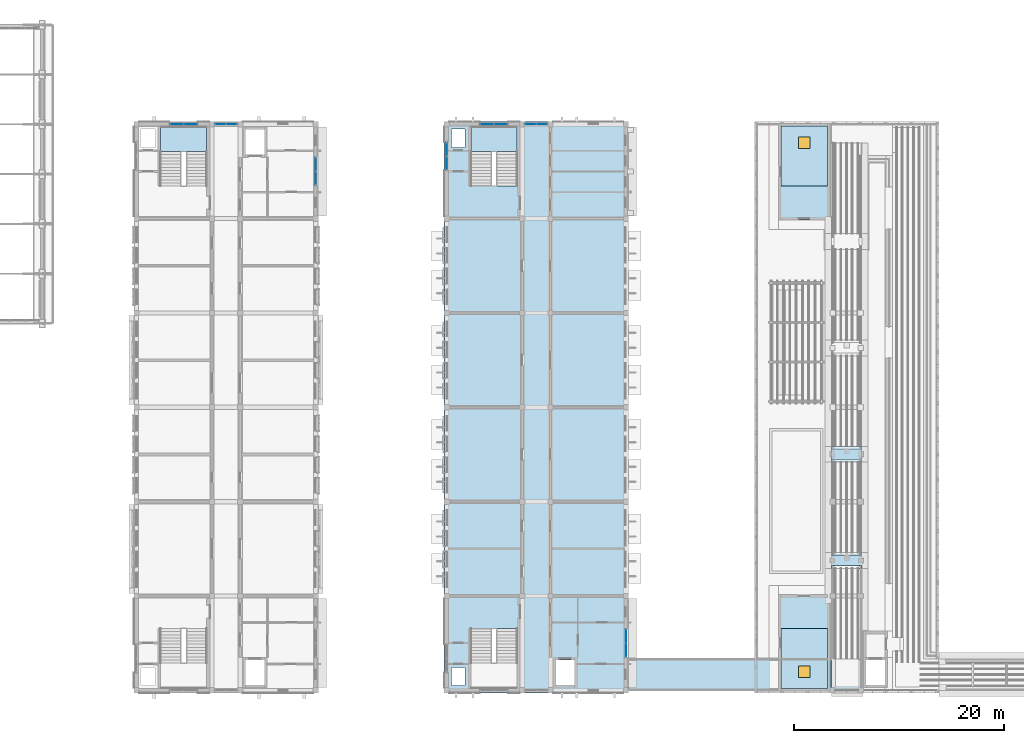
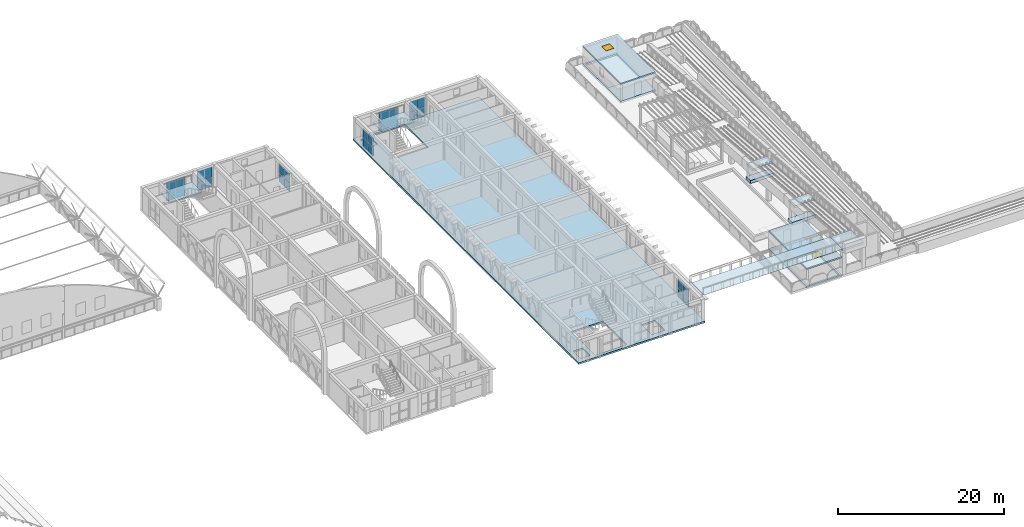
# One storey, part 32 of 65: 28 plates, 13 slabs, 2 windows, 2 openings, 10 elements without a shape of their own.
"""IFC4 building model written with IfcOpenShell, lengths in metres."""

import ifcopenshell
import ifcopenshell.guid

model = None  # the IFC model being written
_history = None  # IfcOwnerHistory: only IFC2X3 demands one
_inside = {}  # id of a spatial element -> (the spatial element, [elements in it])
_under = {}  # id of a project, library or spatial element -> (it, [spatial elements below it])
_declared = {}  # id of a project -> (the project, [libraries it declares])
_typed = {}  # id of a type object -> (the type object, [elements of that type])
_made_of = {}  # id of a material, layer set ... -> (it, [elements and type objects made of it])


def new_model(schema):
    """Start an empty IFC model of exactly this schema.

    Asked for "IFC4X3", IfcOpenShell would pick the latest addendum, in which some entities
    have other attributes; the version numbers below select the first issue.
    IFC2X3 requires an IfcOwnerHistory on every rooted entity: one is made here for all.
    """
    global model, _history
    if schema == "IFC4X3":
        model = ifcopenshell.file(schema_version=(4, 3, 0, 0))
    else:
        model = ifcopenshell.file(schema=schema)
    _inside.clear()
    _under.clear()
    _declared.clear()
    _typed.clear()
    _made_of.clear()
    _history = None
    if model.schema == "IFC2X3":
        org = make("IfcOrganization", Name="unknown")
        user = make(
            "IfcPersonAndOrganization",
            ThePerson=make("IfcPerson", FamilyName="unknown"),
            TheOrganization=org,
        )
        app = make(
            "IfcApplication",
            ApplicationDeveloper=org,
            Version="unknown",
            ApplicationFullName="unknown",
            ApplicationIdentifier="unknown",
        )
        _history = make(
            "IfcOwnerHistory",
            OwningUser=user,
            OwningApplication=app,
            ChangeAction="ADDED",
            CreationDate=0,
        )
    return model


def make(cls, **values):
    """One entity of the class cls with the attributes given. An attribute that is None is left unset."""
    return model.create_entity(
        cls, **{name: value for name, value in values.items() if value is not None}
    )


def rooted(cls, **values):
    """An entity with a GlobalId (a new one), such as an element, a storey or a relation."""
    return make(cls, GlobalId=ifcopenshell.guid.new(), OwnerHistory=_history, **values)


def si_unit(unit_type, name, prefix=None):
    """IfcSIUnit, for example si_unit("LENGTHUNIT", "METRE", prefix="MILLI")."""
    return make("IfcSIUnit", UnitType=unit_type, Prefix=prefix, Name=name)


def assignment(units):
    """IfcUnitAssignment: the units of a project."""
    return None if units is None else make("IfcUnitAssignment", Units=units)


def point(xyz):
    """IfcCartesianPoint."""
    return None if xyz is None else make("IfcCartesianPoint", Coordinates=xyz)


def direction(xyz):
    """IfcDirection."""
    return None if xyz is None else make("IfcDirection", DirectionRatios=xyz)


def frame(location, z_axis=None, x_axis=None):
    """IfcAxis2Placement3D, a coordinate frame: its origin and axes. An axis left out is left unset."""
    return make(
        "IfcAxis2Placement3D",
        Location=point(location),
        Axis=direction(z_axis),
        RefDirection=direction(x_axis),
    )


def frame_2d(location, x_axis=None):
    """IfcAxis2Placement2D, a coordinate frame in the plane: its origin and x axis."""
    return make(
        "IfcAxis2Placement2D", Location=point(location), RefDirection=direction(x_axis)
    )


def origin():
    """The frame at (0, 0, 0) with its axes left unset."""
    return frame((0.0, 0.0, 0.0))


def origin_2d():
    """The frame at (0, 0) in the plane with its x axis left unset."""
    return frame_2d((0.0, 0.0))


def place(relative_to, where):
    """IfcLocalPlacement: puts the frame where relative to a parent placement (None: the world)."""
    return make(
        "IfcLocalPlacement", PlacementRelTo=relative_to, RelativePlacement=where
    )


def context(
    kind, dimensions, precision=None, world=None, true_north=None, identifier=None
):
    """IfcGeometricRepresentationContext, for example the 3D "Model" context."""
    return make(
        "IfcGeometricRepresentationContext",
        ContextIdentifier=identifier,
        ContextType=kind,
        CoordinateSpaceDimension=dimensions,
        Precision=precision,
        WorldCoordinateSystem=world,
        TrueNorth=true_north,
    )


def subcontext(parent, identifier, kind, view, scale=None):
    """IfcGeometricRepresentationSubContext, for example "Body" below "Model"."""
    return make(
        "IfcGeometricRepresentationSubContext",
        ContextIdentifier=identifier,
        ContextType=kind,
        ParentContext=parent,
        TargetScale=scale,
        TargetView=view,
    )


def project(units=None, contexts=None):
    """IfcProject with its units and contexts."""
    return rooted(
        "IfcProject",
        Name="project",
        RepresentationContexts=contexts,
        UnitsInContext=assignment(units),
    )


def spatial(cls, under=None, at=None, **own):
    """A site, building, storey or space (cls), placed at a placement, below another one or the project."""
    s = rooted(cls, ObjectPlacement=at, **own)
    if under is not None:
        _under.setdefault(under.id(), (under, []))[1].append(s)
    return s


def polyline(points):
    """IfcPolyline through the points."""
    return make("IfcPolyline", Points=[point(p) for p in points])


def profile(cls, at=None, kind="AREA", **sizes):
    """A parametric profile (cls). Its sizes go by their IFC names, for example OverallWidth=200.0."""
    return make(cls, ProfileType=kind, Position=at, **sizes)


def rectangle(**sizes):
    """IfcRectangleProfileDef."""
    return profile("IfcRectangleProfileDef", **sizes)


def outline(outer, holes=None, kind="AREA"):
    """IfcArbitraryClosedProfileDef: a profile drawn as a closed curve; with holes, ...WithVoids."""
    if holes is None:
        return make("IfcArbitraryClosedProfileDef", ProfileType=kind, OuterCurve=outer)
    return make(
        "IfcArbitraryProfileDefWithVoids",
        ProfileType=kind,
        OuterCurve=outer,
        InnerCurves=holes,
    )


def extrude(swept, where, along, depth):
    """IfcExtrudedAreaSolid: the profile swept, set in the frame where, extruded along a direction by depth."""
    return make(
        "IfcExtrudedAreaSolid",
        SweptArea=swept,
        Position=where,
        ExtrudedDirection=direction(along),
        Depth=depth,
    )


def shape(context_of_items, identifier, shape_type, items):
    """IfcShapeRepresentation: the items that make up one representation, for example the "Body"."""
    return make(
        "IfcShapeRepresentation",
        ContextOfItems=context_of_items,
        RepresentationIdentifier=identifier,
        RepresentationType=shape_type,
        Items=items,
    )


def material(Name=None, Category=None):
    """IfcMaterial."""
    return make("IfcMaterial", Name=Name, Category=Category)


def layer(
    of_material, thickness, ventilated=None, Name=None, Category=None, Priority=None
):
    """IfcMaterialLayer: one layer of a wall or slab, of a material (None: an air gap)."""
    return make(
        "IfcMaterialLayer",
        Material=of_material,
        LayerThickness=thickness,
        IsVentilated=ventilated,
        Name=Name,
        Category=Category,
        Priority=Priority,
    )


def layer_set(layers, Name=None):
    """IfcMaterialLayerSet."""
    return make("IfcMaterialLayerSet", MaterialLayers=layers, LayerSetName=Name)


def made_of(thing, what):
    """Note that an element or type object is made of a material, layer set ...; save() writes the relation."""
    if what is not None:
        _made_of.setdefault(what.id(), (what, []))[1].append(thing)
    return thing


def type_object(cls, material=None, **own):
    """A type object (cls), such as IfcWallType, which elements share."""
    return made_of(rooted(cls, **own), material)


def element(
    cls,
    number,
    at=None,
    inside=None,
    cuts=None,
    type_object=None,
    material=None,
    context=None,
    identifier="Body",
    shape_type=None,
    held_by="IfcProductDefinitionShape",
    body=None,
    shapes=None,
    **own,
):
    """One element of the class cls, such as IfcWall. Its Tag is "e" and its number.

    at: its placement. inside: the storey or other place that contains it. cuts: it is an
    opening in that element (IfcRelVoidsElement). A single representation is given by context,
    identifier, shape_type and body (its items); several are given by shapes. held_by: the class
    of the entity that holds the representations. save() writes the other relations.
    """
    e = rooted(cls, Tag="e%d" % number, ObjectPlacement=at, **own)
    if body is not None:
        shapes = [shape(context, identifier, shape_type, body)]
    if shapes is not None:
        e.Representation = make(held_by, Representations=shapes)
    if inside is not None:
        _inside.setdefault(inside.id(), (inside, []))[1].append(e)
    if cuts is not None:
        rooted(
            "IfcRelVoidsElement", RelatingBuildingElement=cuts, RelatedOpeningElement=e
        )
    if type_object is not None:
        _typed.setdefault(type_object.id(), (type_object, []))[1].append(e)
    return made_of(e, material)


def fill(opening, filler):
    """IfcRelFillsElement: the door or window that sits in an opening."""
    return rooted(
        "IfcRelFillsElement",
        RelatingOpeningElement=opening,
        RelatedBuildingElement=filler,
    )


def aggregate(whole, parts):
    """IfcRelAggregates: a whole, such as a stair, and the parts it consists of."""
    return rooted("IfcRelAggregates", RelatingObject=whole, RelatedObjects=parts)


def save(model, path):
    """Write the relations noted so far, then the file.

    IfcRelAggregates (storeys below a building ...), IfcRelContainedInSpatialStructure (elements
    in a storey), IfcRelDefinesByType, IfcRelAssociatesMaterial and IfcRelDeclares: one each for
    every whole, place, type object, material and project.
    """
    for whole, parts in _under.values():
        aggregate(whole, parts)
    for where, things in _inside.values():
        rooted(
            "IfcRelContainedInSpatialStructure",
            RelatedElements=things,
            RelatingStructure=where,
        )
    for kind, things in _typed.values():
        rooted("IfcRelDefinesByType", RelatedObjects=things, RelatingType=kind)
    for what, things in _made_of.values():
        rooted("IfcRelAssociatesMaterial", RelatedObjects=things, RelatingMaterial=what)
    for by, libraries in _declared.values():
        rooted("IfcRelDeclares", RelatingContext=by, RelatedDefinitions=libraries)
    model.write(path)


model = new_model("IFC4")

# Units and contexts
model_context = context("Model", 3, precision=1e-05, world=origin(), true_north=direction((0.0, 1.0)))
body_context = subcontext(model_context, "Body", "Model", "MODEL_VIEW")
ifc_project = project(units=[si_unit("LENGTHUNIT", "METRE"), si_unit("AREAUNIT", "SQUARE_METRE"), si_unit("VOLUMEUNIT", "CUBIC_METRE"), si_unit("PLANEANGLEUNIT", "RADIAN"), si_unit("MASSUNIT", "GRAM", prefix="KILO")], contexts=[model_context])

# Site, building, storey
site_placement = place(None, origin())
site = spatial("IfcSite", under=ifc_project, at=site_placement, CompositionType="ELEMENT")
building_placement = place(site_placement, origin())
building = spatial("IfcBuilding", under=site, at=building_placement, Name="Elbe Cascade School", CompositionType="ELEMENT")
storey_placement = place(building_placement, frame((0.0, 0.0, 11.699951171875)))
storey = spatial("IfcBuildingStorey", under=building, at=storey_placement, Name="L03", CompositionType="ELEMENT", Elevation=11.699951171875)

# Stair, slab
ifc_material_1 = material(Name="Concrete C30/37", Category="concrete")
stair_type = type_object("IfcStairType", Name="Bar stair RC 150", PredefinedType="HALF_TURN_STAIR", material=ifc_material_1)
stair_1_placement = place(storey_placement, origin())
stair_1 = element("IfcStair", 1, at=stair_1_placement, inside=storey, type_object=stair_type, Name="Stair A3.N", PredefinedType="HALF_TURN_STAIR")
ifc_material_2 = material(Name="Concrete C30/37", Category="concrete")
ifc_layer_1 = layer(ifc_material_2, 0.199951171875)
ifc_layer_set_1 = layer_set([ifc_layer_1], Name="Concrete C30/37")
slab_type_1 = type_object("IfcSlabType", Name="Bar stair landing RC 200", PredefinedType="LANDING", material=ifc_layer_set_1)
slab_1_placement = place(storey_placement, frame((0.0, 0.0, 1.60009765625)))
slab_1 = element("IfcSlab", 2, at=slab_1_placement, type_object=slab_type_1, Name="ST3 landing 1", PredefinedType="LANDING", context=body_context, shape_type="SweptSolid", body=[
    extrude(outline(polyline([(71.300048828125, 57.39990234375), (75.699951171875, 57.39990234375), (75.699951171875, 59.820068359375), (71.300048828125, 59.820068359375), (71.300048828125, 57.39990234375)])), origin(), (0.0, 0.0, 1.0), 0.199951171875),
])
aggregate(stair_1, [slab_1])

stair_2_placement = place(storey_placement, origin())
stair_2 = element("IfcStair", 3, at=stair_2_placement, inside=storey, type_object=stair_type, Name="Stair B3.N", PredefinedType="HALF_TURN_STAIR")
slab_2_placement = place(storey_placement, frame((0.0, 0.0, 1.60009765625)))
slab_2 = element("IfcSlab", 4, at=slab_2_placement, type_object=slab_type_1, Name="ST3 landing 1", PredefinedType="LANDING", context=body_context, shape_type="SweptSolid", body=[
    extrude(outline(polyline([(100.89990234375, 57.39990234375), (105.300048828125, 57.39990234375), (105.300048828125, 59.820068359375), (100.89990234375, 59.820068359375), (100.89990234375, 57.39990234375)])), origin(), (0.0, 0.0, 1.0), 0.199951171875),
])
aggregate(stair_2, [slab_2])

# Curtain wall, plates
ifc_material_3 = material(Name="Aluminium frame with double glazing, bronze anodised", Category="aluminium")
ifc_layer_2 = layer(ifc_material_3, 0.159912109375)
ifc_layer_set_2 = layer_set([ifc_layer_2], Name="Aluminium frame with double glazing, bronze anodised")
curtain_wall_type = type_object("IfcCurtainWallType", Name="Bars envelope Curtain wall, aluminium, bronze anodised, storey-high slot", PredefinedType="NOTDEFINED", material=ifc_layer_set_2)
curtain_wall_1_placement = place(storey_placement, origin())
curtain_wall_1 = element("IfcCurtainWall", 5, at=curtain_wall_1_placement, inside=storey, type_object=curtain_wall_type, Name="Curtain wall CW4 A.L03.e6", PredefinedType="NOTDEFINED")
ifc_material_4 = material(Name="Glass - double glazed low-E", Category="glass")
ifc_layer_3 = layer(ifc_material_4, 0.028076171875)
ifc_layer_set_3 = layer_set([ifc_layer_3], Name="Glass - double glazed low-E")
plate_type = type_object("IfcPlateType", Name="Bars envelope Curtain wall glazing panel 28 mm, double glazed, storey-high slot", PredefinedType="CURTAIN_PANEL", material=ifc_layer_set_3)
plate_1_placement = place(storey_placement, frame((86.10009765625, 56.159912109375, 0.06005859375), z_axis=(0.0, 0.0, 1.0), x_axis=(0.0, -1.0, 0.0)))
plate_1 = element("IfcPlate", 6, at=plate_1_placement, type_object=plate_type, Name="CW4 panel 1.1", PredefinedType="CURTAIN_PANEL", context=body_context, shape_type="SweptSolid", body=[
    extrude(rectangle(XDim=1.260009765625, YDim=0.028076171875, at=origin_2d()), origin(), (0.0, 0.0, 1.0), 1.260009765625),
])
plate_2_placement = place(storey_placement, frame((86.10009765625, 56.159912109375, 1.3798828125), z_axis=(0.0, 0.0, 1.0), x_axis=(0.0, -1.0, 0.0)))
plate_2 = element("IfcPlate", 7, at=plate_2_placement, type_object=plate_type, Name="CW4 panel 1.2", PredefinedType="CURTAIN_PANEL", context=body_context, shape_type="SweptSolid", body=[
    extrude(rectangle(XDim=1.260009765625, YDim=0.028076171875, at=origin_2d()), origin(), (0.0, 0.0, 1.0), 1.409912109375),
])
plate_3_placement = place(storey_placement, frame((86.10009765625, 54.840087890625, 0.06005859375), z_axis=(0.0, 0.0, 1.0), x_axis=(0.0, -1.0, 0.0)))
plate_3 = element("IfcPlate", 8, at=plate_3_placement, type_object=plate_type, Name="CW4 panel 2.1", PredefinedType="CURTAIN_PANEL", context=body_context, shape_type="SweptSolid", body=[
    extrude(rectangle(XDim=1.260009765625, YDim=0.028076171875, at=origin_2d()), origin(), (0.0, 0.0, 1.0), 1.260009765625),
])
plate_4_placement = place(storey_placement, frame((86.10009765625, 54.840087890625, 1.3798828125), z_axis=(0.0, 0.0, 1.0), x_axis=(0.0, -1.0, 0.0)))
plate_4 = element("IfcPlate", 9, at=plate_4_placement, type_object=plate_type, Name="CW4 panel 2.2", PredefinedType="CURTAIN_PANEL", context=body_context, shape_type="SweptSolid", body=[
    extrude(rectangle(XDim=1.260009765625, YDim=0.028076171875, at=origin_2d()), origin(), (0.0, 0.0, 1.0), 1.409912109375),
])
aggregate(curtain_wall_1, [plate_1, plate_2, plate_3, plate_4])

curtain_wall_2_placement = place(storey_placement, origin())
curtain_wall_2 = element("IfcCurtainWall", 10, at=curtain_wall_2_placement, inside=storey, type_object=curtain_wall_type, Name="Curtain wall CW4 A.L03.n1", PredefinedType="NOTDEFINED")
plate_5_placement = place(storey_placement, frame((72.840087890625, 60.0, 0.06005859375), z_axis=(0.0, 0.0, 1.0), x_axis=(1.0, 0.0, 0.0)))
plate_5 = element("IfcPlate", 11, at=plate_5_placement, type_object=plate_type, Name="CW4 panel 1.1", PredefinedType="CURTAIN_PANEL", context=body_context, shape_type="SweptSolid", body=[
    extrude(rectangle(XDim=1.260009765625, YDim=0.028076171875, at=origin_2d()), origin(), (0.0, 0.0, 1.0), 1.260009765625),
])
plate_6_placement = place(storey_placement, frame((72.840087890625, 60.0, 1.380126953125), z_axis=(0.0, 0.0, 1.0), x_axis=(1.0, 0.0, 0.0)))
plate_6 = element("IfcPlate", 12, at=plate_6_placement, type_object=plate_type, Name="CW4 panel 1.2", PredefinedType="CURTAIN_PANEL", context=body_context, shape_type="SweptSolid", body=[
    extrude(rectangle(XDim=1.260009765625, YDim=0.028076171875, at=origin_2d()), origin(), (0.0, 0.0, 1.0), 1.4599609375),
])
plate_7_placement = place(storey_placement, frame((74.159912109375, 60.0, 0.06005859375), z_axis=(0.0, 0.0, 1.0), x_axis=(1.0, 0.0, 0.0)))
plate_7 = element("IfcPlate", 13, at=plate_7_placement, type_object=plate_type, Name="CW4 panel 2.1", PredefinedType="CURTAIN_PANEL", context=body_context, shape_type="SweptSolid", body=[
    extrude(rectangle(XDim=1.260009765625, YDim=0.028076171875, at=origin_2d()), origin(), (0.0, 0.0, 1.0), 1.260009765625),
])
plate_8_placement = place(storey_placement, frame((74.159912109375, 60.0, 1.380126953125), z_axis=(0.0, 0.0, 1.0), x_axis=(1.0, 0.0, 0.0)))
plate_8 = element("IfcPlate", 14, at=plate_8_placement, type_object=plate_type, Name="CW4 panel 2.2", PredefinedType="CURTAIN_PANEL", context=body_context, shape_type="SweptSolid", body=[
    extrude(rectangle(XDim=1.260009765625, YDim=0.028076171875, at=origin_2d()), origin(), (0.0, 0.0, 1.0), 1.4599609375),
])
aggregate(curtain_wall_2, [plate_5, plate_6, plate_7, plate_8])

curtain_wall_3_placement = place(storey_placement, origin())
curtain_wall_3 = element("IfcCurtainWall", 15, at=curtain_wall_3_placement, inside=storey, type_object=curtain_wall_type, Name="Curtain wall CW4 A.L03.n2", PredefinedType="NOTDEFINED")
plate_9_placement = place(storey_placement, frame((77.014892578125, 60.0, 0.06005859375), z_axis=(0.0, 0.0, 1.0), x_axis=(1.0, 0.0, 0.0)))
plate_9 = element("IfcPlate", 16, at=plate_9_placement, type_object=plate_type, Name="CW4 panel 1.1", PredefinedType="CURTAIN_PANEL", context=body_context, shape_type="SweptSolid", body=[
    extrude(rectangle(XDim=1.010009765625, YDim=0.028076171875, at=origin_2d()), origin(), (0.0, 0.0, 1.0), 1.260009765625),
])
plate_10_placement = place(storey_placement, frame((77.014892578125, 60.0, 1.380126953125), z_axis=(0.0, 0.0, 1.0), x_axis=(1.0, 0.0, 0.0)))
plate_10 = element("IfcPlate", 17, at=plate_10_placement, type_object=plate_type, Name="CW4 panel 1.2", PredefinedType="CURTAIN_PANEL", context=body_context, shape_type="SweptSolid", body=[
    extrude(rectangle(XDim=1.010009765625, YDim=0.028076171875, at=origin_2d()), origin(), (0.0, 0.0, 1.0), 1.56005859375),
])
plate_11_placement = place(storey_placement, frame((78.0849609375, 60.0, 0.06005859375), z_axis=(0.0, 0.0, 1.0), x_axis=(1.0, 0.0, 0.0)))
plate_11 = element("IfcPlate", 18, at=plate_11_placement, type_object=plate_type, Name="CW4 panel 2.1", PredefinedType="CURTAIN_PANEL", context=body_context, shape_type="SweptSolid", body=[
    extrude(rectangle(XDim=1.010009765625, YDim=0.028076171875, at=origin_2d()), origin(), (0.0, 0.0, 1.0), 1.260009765625),
])
plate_12_placement = place(storey_placement, frame((78.0849609375, 60.0, 1.380126953125), z_axis=(0.0, 0.0, 1.0), x_axis=(1.0, 0.0, 0.0)))
plate_12 = element("IfcPlate", 19, at=plate_12_placement, type_object=plate_type, Name="CW4 panel 2.2", PredefinedType="CURTAIN_PANEL", context=body_context, shape_type="SweptSolid", body=[
    extrude(rectangle(XDim=1.010009765625, YDim=0.028076171875, at=origin_2d()), origin(), (0.0, 0.0, 1.0), 1.56005859375),
])
aggregate(curtain_wall_3, [plate_9, plate_10, plate_11, plate_12])

curtain_wall_4_placement = place(storey_placement, origin())
curtain_wall_4 = element("IfcCurtainWall", 20, at=curtain_wall_4_placement, inside=storey, type_object=curtain_wall_type, Name="Curtain wall CW4 B.L03.w6", PredefinedType="NOTDEFINED")
plate_13_placement = place(storey_placement, frame((98.60009765625, 56.300048828125, 0.06005859375), z_axis=(0.0, 0.0, 1.0), x_axis=(0.0, 1.0, 0.0)))
plate_13 = element("IfcPlate", 21, at=plate_13_placement, type_object=plate_type, Name="CW4 panel 1.1", PredefinedType="CURTAIN_PANEL", context=body_context, shape_type="SweptSolid", body=[
    extrude(rectangle(XDim=1.260009765625, YDim=0.028076171875, at=origin_2d()), origin(), (0.0, 0.0, 1.0), 1.260009765625),
])
plate_14_placement = place(storey_placement, frame((98.60009765625, 56.300048828125, 1.380126953125), z_axis=(0.0, 0.0, 1.0), x_axis=(0.0, 1.0, 0.0)))
plate_14 = element("IfcPlate", 22, at=plate_14_placement, type_object=plate_type, Name="CW4 panel 1.2", PredefinedType="CURTAIN_PANEL", context=body_context, shape_type="SweptSolid", body=[
    extrude(rectangle(XDim=1.260009765625, YDim=0.028076171875, at=origin_2d()), origin(), (0.0, 0.0, 1.0), 1.31005859375),
])
plate_15_placement = place(storey_placement, frame((98.60009765625, 57.6201171875, 0.06005859375), z_axis=(0.0, 0.0, 1.0), x_axis=(0.0, 1.0, 0.0)))
plate_15 = element("IfcPlate", 23, at=plate_15_placement, type_object=plate_type, Name="CW4 panel 2.1", PredefinedType="CURTAIN_PANEL", context=body_context, shape_type="SweptSolid", body=[
    extrude(rectangle(XDim=1.260009765625, YDim=0.028076171875, at=origin_2d()), origin(), (0.0, 0.0, 1.0), 1.260009765625),
])
plate_16_placement = place(storey_placement, frame((98.60009765625, 57.6201171875, 1.380126953125), z_axis=(0.0, 0.0, 1.0), x_axis=(0.0, 1.0, 0.0)))
plate_16 = element("IfcPlate", 24, at=plate_16_placement, type_object=plate_type, Name="CW4 panel 2.2", PredefinedType="CURTAIN_PANEL", context=body_context, shape_type="SweptSolid", body=[
    extrude(rectangle(XDim=1.260009765625, YDim=0.028076171875, at=origin_2d()), origin(), (0.0, 0.0, 1.0), 1.31005859375),
])
aggregate(curtain_wall_4, [plate_13, plate_14, plate_15, plate_16])

curtain_wall_5_placement = place(storey_placement, origin())
curtain_wall_5 = element("IfcCurtainWall", 25, at=curtain_wall_5_placement, inside=storey, type_object=curtain_wall_type, Name="Curtain wall CW4 B.L03.e1", PredefinedType="NOTDEFINED")
plate_17_placement = place(storey_placement, frame((115.699951171875, 11.159912109375, 0.06005859375), z_axis=(0.0, 0.0, 1.0), x_axis=(0.0, -1.0, 0.0)))
plate_17 = element("IfcPlate", 26, at=plate_17_placement, type_object=plate_type, Name="CW4 panel 1.1", PredefinedType="CURTAIN_PANEL", context=body_context, shape_type="SweptSolid", body=[
    extrude(rectangle(XDim=1.260009765625, YDim=0.028076171875, at=origin_2d()), origin(), (0.0, 0.0, 1.0), 1.260009765625),
])
plate_18_placement = place(storey_placement, frame((115.699951171875, 11.159912109375, 1.380126953125), z_axis=(0.0, 0.0, 1.0), x_axis=(0.0, -1.0, 0.0)))
plate_18 = element("IfcPlate", 27, at=plate_18_placement, type_object=plate_type, Name="CW4 panel 1.2", PredefinedType="CURTAIN_PANEL", context=body_context, shape_type="SweptSolid", body=[
    extrude(rectangle(XDim=1.260009765625, YDim=0.028076171875, at=origin_2d()), origin(), (0.0, 0.0, 1.0), 1.31005859375),
])
plate_19_placement = place(storey_placement, frame((115.699951171875, 9.840087890625, 0.06005859375), z_axis=(0.0, 0.0, 1.0), x_axis=(0.0, -1.0, 0.0)))
plate_19 = element("IfcPlate", 28, at=plate_19_placement, type_object=plate_type, Name="CW4 panel 2.1", PredefinedType="CURTAIN_PANEL", context=body_context, shape_type="SweptSolid", body=[
    extrude(rectangle(XDim=1.260009765625, YDim=0.028076171875, at=origin_2d()), origin(), (0.0, 0.0, 1.0), 1.260009765625),
])
plate_20_placement = place(storey_placement, frame((115.699951171875, 9.840087890625, 1.380126953125), z_axis=(0.0, 0.0, 1.0), x_axis=(0.0, -1.0, 0.0)))
plate_20 = element("IfcPlate", 29, at=plate_20_placement, type_object=plate_type, Name="CW4 panel 2.2", PredefinedType="CURTAIN_PANEL", context=body_context, shape_type="SweptSolid", body=[
    extrude(rectangle(XDim=1.260009765625, YDim=0.028076171875, at=origin_2d()), origin(), (0.0, 0.0, 1.0), 1.31005859375),
])
aggregate(curtain_wall_5, [plate_17, plate_18, plate_19, plate_20])

curtain_wall_6_placement = place(storey_placement, origin())
curtain_wall_6 = element("IfcCurtainWall", 30, at=curtain_wall_6_placement, inside=storey, type_object=curtain_wall_type, Name="Curtain wall CW4 B.L03.n1", PredefinedType="NOTDEFINED")
plate_21_placement = place(storey_placement, frame((102.43994140625, 60.0, 0.06005859375), z_axis=(0.0, 0.0, 1.0), x_axis=(1.0, 0.0, 0.0)))
plate_21 = element("IfcPlate", 31, at=plate_21_placement, type_object=plate_type, Name="CW4 panel 1.1", PredefinedType="CURTAIN_PANEL", context=body_context, shape_type="SweptSolid", body=[
    extrude(rectangle(XDim=1.260009765625, YDim=0.028076171875, at=origin_2d()), origin(), (0.0, 0.0, 1.0), 1.260009765625),
])
plate_22_placement = place(storey_placement, frame((102.43994140625, 60.0, 1.3798828125), z_axis=(0.0, 0.0, 1.0), x_axis=(1.0, 0.0, 0.0)))
plate_22 = element("IfcPlate", 32, at=plate_22_placement, type_object=plate_type, Name="CW4 panel 1.2", PredefinedType="CURTAIN_PANEL", context=body_context, shape_type="SweptSolid", body=[
    extrude(rectangle(XDim=1.260009765625, YDim=0.028076171875, at=origin_2d()), origin(), (0.0, 0.0, 1.0), 1.360107421875),
])
plate_23_placement = place(storey_placement, frame((103.760009765625, 60.0, 0.06005859375), z_axis=(0.0, 0.0, 1.0), x_axis=(1.0, 0.0, 0.0)))
plate_23 = element("IfcPlate", 33, at=plate_23_placement, type_object=plate_type, Name="CW4 panel 2.1", PredefinedType="CURTAIN_PANEL", context=body_context, shape_type="SweptSolid", body=[
    extrude(rectangle(XDim=1.260009765625, YDim=0.028076171875, at=origin_2d()), origin(), (0.0, 0.0, 1.0), 1.260009765625),
])
plate_24_placement = place(storey_placement, frame((103.760009765625, 60.0, 1.3798828125), z_axis=(0.0, 0.0, 1.0), x_axis=(1.0, 0.0, 0.0)))
plate_24 = element("IfcPlate", 34, at=plate_24_placement, type_object=plate_type, Name="CW4 panel 2.2", PredefinedType="CURTAIN_PANEL", context=body_context, shape_type="SweptSolid", body=[
    extrude(rectangle(XDim=1.260009765625, YDim=0.028076171875, at=origin_2d()), origin(), (0.0, 0.0, 1.0), 1.360107421875),
])
aggregate(curtain_wall_6, [plate_21, plate_22, plate_23, plate_24])

curtain_wall_7_placement = place(storey_placement, origin())
curtain_wall_7 = element("IfcCurtainWall", 35, at=curtain_wall_7_placement, inside=storey, type_object=curtain_wall_type, Name="Curtain wall CW4 B.L03.n2", PredefinedType="NOTDEFINED")
plate_25_placement = place(storey_placement, frame((106.614990234375, 60.0, 0.06005859375), z_axis=(0.0, 0.0, 1.0), x_axis=(1.0, 0.0, 0.0)))
plate_25 = element("IfcPlate", 36, at=plate_25_placement, type_object=plate_type, Name="CW4 panel 1.1", PredefinedType="CURTAIN_PANEL", context=body_context, shape_type="SweptSolid", body=[
    extrude(rectangle(XDim=1.010009765625, YDim=0.028076171875, at=origin_2d()), origin(), (0.0, 0.0, 1.0), 1.260009765625),
])
plate_26_placement = place(storey_placement, frame((106.614990234375, 60.0, 1.380126953125), z_axis=(0.0, 0.0, 1.0), x_axis=(1.0, 0.0, 0.0)))
plate_26 = element("IfcPlate", 37, at=plate_26_placement, type_object=plate_type, Name="CW4 panel 1.2", PredefinedType="CURTAIN_PANEL", context=body_context, shape_type="SweptSolid", body=[
    extrude(rectangle(XDim=1.010009765625, YDim=0.028076171875, at=origin_2d()), origin(), (0.0, 0.0, 1.0), 1.4599609375),
])
plate_27_placement = place(storey_placement, frame((107.68505859375, 60.0, 0.06005859375), z_axis=(0.0, 0.0, 1.0), x_axis=(1.0, 0.0, 0.0)))
plate_27 = element("IfcPlate", 38, at=plate_27_placement, type_object=plate_type, Name="CW4 panel 2.1", PredefinedType="CURTAIN_PANEL", context=body_context, shape_type="SweptSolid", body=[
    extrude(rectangle(XDim=1.010009765625, YDim=0.028076171875, at=origin_2d()), origin(), (0.0, 0.0, 1.0), 1.260009765625),
])
plate_28_placement = place(storey_placement, frame((107.68505859375, 60.0, 1.380126953125), z_axis=(0.0, 0.0, 1.0), x_axis=(1.0, 0.0, 0.0)))
plate_28 = element("IfcPlate", 39, at=plate_28_placement, type_object=plate_type, Name="CW4 panel 2.2", PredefinedType="CURTAIN_PANEL", context=body_context, shape_type="SweptSolid", body=[
    extrude(rectangle(XDim=1.010009765625, YDim=0.028076171875, at=origin_2d()), origin(), (0.0, 0.0, 1.0), 1.4599609375),
])
aggregate(curtain_wall_7, [plate_25, plate_26, plate_27, plate_28])

# Slabs
ifc_material_5 = material(Name="Concrete C30/37", Category="concrete")
ifc_layer_4 = layer(ifc_material_5, 0.25)
ifc_layer_set_4 = layer_set([ifc_layer_4], Name="Concrete C30/37")
slab_type_2 = type_object("IfcSlabType", Name="Floor slab 250", PredefinedType="FLOOR", material=ifc_layer_set_4)
slab_3_placement = place(storey_placement, frame((0.0, 0.0, -0.25)))
element("IfcSlab", 40, at=slab_3_placement, inside=storey, type_object=slab_type_2, Name="Floor slab 250 S2", PredefinedType="FLOOR", context=body_context, shape_type="SweptSolid", body=[
    extrude(outline(polyline([(98.35009765625, 5.75), (115.949951171875, 5.75), (115.949951171875, 60.25), (98.35009765625, 60.25), (98.35009765625, 5.75)]), holes=[polyline([(100.89990234375, 6.179931640625), (105.300048828125, 6.179931640625), (105.300048828125, 11.8798828125), (100.89990234375, 11.8798828125), (100.89990234375, 6.179931640625)]), polyline([(109.0, 6.5), (110.800048828125, 6.5), (110.800048828125, 8.89990234375), (109.0, 8.89990234375), (109.0, 6.5)]), polyline([(100.89990234375, 54.1201171875), (105.300048828125, 54.1201171875), (105.300048828125, 59.820068359375), (100.89990234375, 59.820068359375), (100.89990234375, 54.1201171875)]), polyline([(99.050048828125, 6.449951171875), (100.35009765625, 6.449951171875), (100.35009765625, 8.199951171875), (99.050048828125, 8.199951171875), (99.050048828125, 6.449951171875)]), polyline([(99.050048828125, 57.800048828125), (100.35009765625, 57.800048828125), (100.35009765625, 59.550048828125), (99.050048828125, 59.550048828125), (99.050048828125, 57.800048828125)])]), origin(), (0.0, 0.0, 1.0), 0.25),
])
ifc_material_6 = material(Name="Concrete C30/37", Category="concrete")
ifc_layer_5 = layer(ifc_material_6, 0.300048828125)
ifc_layer_set_5 = layer_set([ifc_layer_5], Name="Concrete C30/37")
slab_type_3 = type_object("IfcSlabType", Name="Head-house floor slab 300", PredefinedType="FLOOR", material=ifc_layer_set_5)
slab_4_placement = place(storey_placement, frame((0.0, 0.0, -0.300048828125)))
element("IfcSlab", 41, at=slab_4_placement, inside=storey, type_object=slab_type_3, Name="Head-house floor slab 300 S7", PredefinedType="FLOOR", context=body_context, shape_type="SweptSolid", body=[
    extrude(outline(polyline([(130.25, 5.929931640625), (135.14990234375, 5.929931640625), (135.14990234375, 15.125), (130.25, 15.125), (130.25, 5.929931640625)]), holes=[polyline([(130.5, 6.179931640625), (134.89990234375, 6.179931640625), (134.89990234375, 11.8798828125), (130.5, 11.8798828125), (130.5, 6.179931640625)])]), origin(), (0.0, 0.0, 1.0), 0.300048828125),
])
slab_5_placement = place(storey_placement, frame((0.0, 0.0, -0.300048828125)))
element("IfcSlab", 42, at=slab_5_placement, inside=storey, type_object=slab_type_3, Name="Head-house floor slab 300 S7", PredefinedType="FLOOR", context=body_context, shape_type="SweptSolid", body=[
    extrude(outline(polyline([(130.25, 50.875), (135.14990234375, 50.875), (135.14990234375, 60.070068359375), (130.25, 60.070068359375), (130.25, 50.875)]), holes=[polyline([(130.5, 54.1201171875), (134.89990234375, 54.1201171875), (134.89990234375, 59.820068359375), (130.5, 59.820068359375), (130.5, 54.1201171875)])]), origin(), (0.0, 0.0, 1.0), 0.300048828125),
])
ifc_material_7 = material(Name="Concrete C30/37", Category="concrete")
ifc_layer_6 = layer(ifc_material_7, 0.449951171875)
ifc_layer_set_6 = layer_set([ifc_layer_6], Name="Concrete C30/37")
slab_type_4 = type_object("IfcSlabType", Name="RC roof plinth 450", PredefinedType="FLOOR", material=ifc_layer_set_6)
slab_6_placement = place(storey_placement, origin())
element("IfcSlab", 43, at=slab_6_placement, inside=storey, type_object=slab_type_4, Name="Roof ramp C plinth 1", PredefinedType="FLOOR", context=body_context, shape_type="SweptSolid", body=[
    extrude(outline(polyline([(135.14990234375, 17.889892578125), (138.35009765625, 17.889892578125), (138.35009765625, 18.889892578125), (135.14990234375, 18.889892578125), (135.14990234375, 17.889892578125)])), origin(), (0.0, 0.0, 1.0), 0.449951171875),
])
slab_7_placement = place(storey_placement, origin())
element("IfcSlab", 44, at=slab_7_placement, inside=storey, type_object=slab_type_4, Name="Roof ramp C plinth 2", PredefinedType="FLOOR", context=body_context, shape_type="SweptSolid", body=[
    extrude(outline(polyline([(135.14990234375, 28.030029296875), (138.35009765625, 28.030029296875), (138.35009765625, 29.030029296875), (135.14990234375, 29.030029296875), (135.14990234375, 28.030029296875)])), origin(), (0.0, 0.0, 1.0), 0.449951171875),
])

# Ramp, slabs
ifc_material_8 = material(Name="Concrete C30/37", Category="concrete")
ramp_type = type_object("IfcRampType", Name="Roof ramp", PredefinedType="STRAIGHT_RUN_RAMP", material=ifc_material_8)
ramp_placement = place(storey_placement, origin())
ramp = element("IfcRamp", 45, at=ramp_placement, inside=storey, type_object=ramp_type, Name="Roof ramp C", PredefinedType="STRAIGHT_RUN_RAMP")
ifc_material_9 = material(Name="Concrete C30/37", Category="concrete")
ifc_layer_7 = layer(ifc_material_9, 0.300048828125)
ifc_layer_set_7 = layer_set([ifc_layer_7], Name="Concrete C30/37")
slab_type_5 = type_object("IfcSlabType", Name="Roof ramp landing 300", PredefinedType="LANDING", material=ifc_layer_set_7)
slab_8_placement = place(storey_placement, frame((0.0, 0.0, 3.360107421875)))
slab_8 = element("IfcSlab", 46, at=slab_8_placement, type_object=slab_type_5, Name="Roof ramp C landing 1", PredefinedType="LANDING", context=body_context, shape_type="SweptSolid", body=[
    extrude(outline(polyline([(138.199951171875, 6.0), (138.199951171875, 9.0), (135.300048828125, 9.0), (135.300048828125, 6.0), (138.199951171875, 6.0)])), origin(), (0.0, 0.0, 1.0), 0.300048828125),
])
slab_9_placement = place(storey_placement, frame((0.0, 0.0, 2.64013671875)))
slab_9 = element("IfcSlab", 47, at=slab_9_placement, type_object=slab_type_5, Name="Roof ramp C landing 2", PredefinedType="LANDING", context=body_context, shape_type="SweptSolid", body=[
    extrude(outline(polyline([(138.199951171875, 17.639892578125), (138.199951171875, 19.139892578125), (135.300048828125, 19.139892578125), (135.300048828125, 17.639892578125), (138.199951171875, 17.639892578125)])), origin(), (0.0, 0.0, 1.0), 0.2998046875),
])
slab_10_placement = place(storey_placement, frame((0.0, 0.0, 1.920166015625)))
slab_10 = element("IfcSlab", 48, at=slab_10_placement, type_object=slab_type_5, Name="Roof ramp C landing 3", PredefinedType="LANDING", context=body_context, shape_type="SweptSolid", body=[
    extrude(outline(polyline([(138.199951171875, 27.780029296875), (138.199951171875, 29.280029296875), (135.300048828125, 29.280029296875), (135.300048828125, 27.780029296875), (138.199951171875, 27.780029296875)])), origin(), (0.0, 0.0, 1.0), 0.2998046875),
])

# Slab, opening, window
ifc_material_10 = material(Name="Concrete C30/37", Category="concrete")
ifc_layer_8 = layer(ifc_material_10, 0.199951171875)
ifc_layer_set_8 = layer_set([ifc_layer_8], Name="Concrete C30/37")
slab_type_6 = type_object("IfcSlabType", Name="Roof slab 200", PredefinedType="ROOF", material=ifc_layer_set_8)
slab_11_placement = place(storey_placement, frame((0.0, 0.0, 2.449951171875)))
slab_11 = element("IfcSlab", 49, at=slab_11_placement, inside=storey, type_object=slab_type_6, Name="Roof slab 200 S4", PredefinedType="ROOF", context=body_context, shape_type="SweptSolid", body=[
    extrude(outline(polyline([(130.25, 5.929931640625), (135.14990234375, 5.929931640625), (135.14990234375, 15.125), (130.25, 15.125), (130.25, 5.929931640625)])), origin(), (0.0, 0.0, 1.0), 0.2001953125),
])
opening_1_placement = place(slab_11_placement, frame((132.699951171875, 7.780029296875, 0.0)))
opening_1 = element("IfcOpeningElement", 50, at=opening_1_placement, cuts=slab_11, Name="Opening W3.080", PredefinedType="OPENING", context=body_context, shape_type="SweptSolid", body=[
    extrude(rectangle(XDim=1.10009765625, YDim=1.10009765625, at=origin_2d()), origin(), (0.0, 0.0, 1.0), 0.2001953125),
])
ifc_material_11 = material(Name="Aluminium frame with smoke-vent flap, bronze anodised", Category="aluminium")
window_type = type_object("IfcWindowType", Name="Stair smoke vent 1100x1100", PartitioningType="SINGLE_PANEL", PredefinedType="SKYLIGHT", material=ifc_material_11)
window_1_placement = place(opening_1_placement, frame((0.0, 0.0, 0.150146484375)))
window_1 = element("IfcWindow", 51, at=window_1_placement, inside=storey, type_object=window_type, Name="Stair smoke vent 1100x1100 W3.080", OverallHeight=1.10009765625, OverallWidth=1.10009765625, PartitioningType="SINGLE_PANEL", PredefinedType="SKYLIGHT", context=body_context, shape_type="SweptSolid", body=[
    extrude(rectangle(XDim=1.10009765625, YDim=1.10009765625, at=origin_2d()), origin(), (0.0, 0.0, 1.0), 0.050048828125),
])
fill(opening_1, window_1)

slab_12_placement = place(storey_placement, frame((0.0, 0.0, 2.449951171875)))
slab_12 = element("IfcSlab", 52, at=slab_12_placement, inside=storey, type_object=slab_type_6, Name="Roof slab 200 S4", PredefinedType="ROOF", context=body_context, shape_type="SweptSolid", body=[
    extrude(outline(polyline([(130.25, 50.875), (135.14990234375, 50.875), (135.14990234375, 60.070068359375), (130.25, 60.070068359375), (130.25, 50.875)])), origin(), (0.0, 0.0, 1.0), 0.2001953125),
])
opening_2_placement = place(slab_12_placement, frame((132.699951171875, 58.219970703125, 0.0)))
opening_2 = element("IfcOpeningElement", 53, at=opening_2_placement, cuts=slab_12, Name="Opening W3.079", PredefinedType="OPENING", context=body_context, shape_type="SweptSolid", body=[
    extrude(rectangle(XDim=1.10009765625, YDim=1.10009765625, at=origin_2d()), origin(), (0.0, 0.0, 1.0), 0.2001953125),
])
window_2_placement = place(opening_2_placement, frame((0.0, 0.0, 0.150146484375)))
window_2 = element("IfcWindow", 54, at=window_2_placement, inside=storey, type_object=window_type, Name="Stair smoke vent 1100x1100 W3.079", OverallHeight=1.10009765625, OverallWidth=1.10009765625, PartitioningType="SINGLE_PANEL", PredefinedType="SKYLIGHT", context=body_context, shape_type="SweptSolid", body=[
    extrude(rectangle(XDim=1.10009765625, YDim=1.10009765625, at=origin_2d()), origin(), (0.0, 0.0, 1.0), 0.050048828125),
])
fill(opening_2, window_2)

# Slab
ifc_material_12 = material(Name="Steel S355J2", Category="steel")
ifc_layer_9 = layer(ifc_material_12, 0.02001953125)
ifc_layer_set_9 = layer_set([ifc_layer_9], Name="Steel S355J2")
slab_type_7 = type_object("IfcSlabType", Name="Steel bridge deck plate 20", PredefinedType="LANDING", material=ifc_layer_set_9)
slab_13_placement = place(storey_placement, frame((0.0, 0.0, 3.64013671875)))
slab_13 = element("IfcSlab", 55, at=slab_13_placement, type_object=slab_type_7, Name="Bridge B-C deck plate", PredefinedType="LANDING", context=body_context, shape_type="SweptSolid", body=[
    extrude(outline(polyline([(115.949951171875, 6.0), (135.300048828125, 6.0), (135.300048828125, 9.0), (115.949951171875, 9.0), (115.949951171875, 6.0)])), origin(), (0.0, 0.0, 1.0), 0.02001953125),
])

aggregate(ramp, [slab_8, slab_9, slab_10, slab_13])

save(model, "model.ifc")
